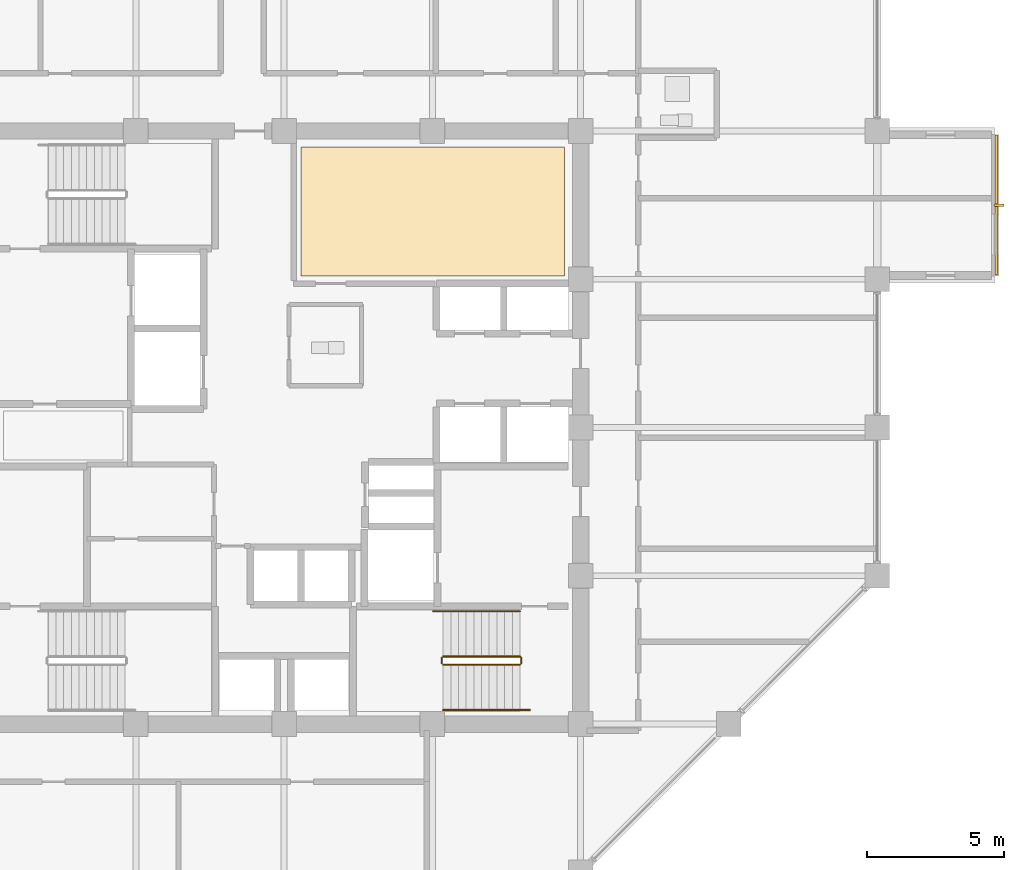
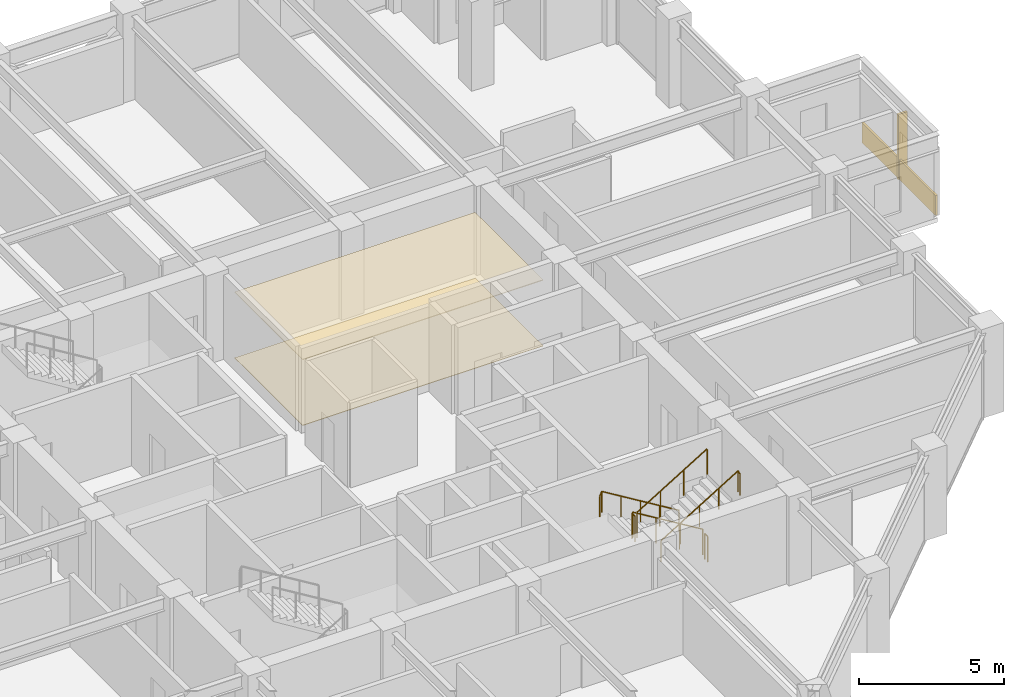
# One storey, part 27 of 28: 6 railings, 3 coverings, 1 shading device.
"""IFC4 building model written with IfcOpenShell, lengths in metres."""

from ifc_helpers import new_model, si_unit, direction, frame, origin, origin_2d, place, context, subcontext, project, spatial, polyline, rectangle, circle, outline, extrude, material, layer, layer_set, type_object, element, save


model = new_model("IFC4")

# Units and contexts
model_context = context("Model", 3, precision=1e-05, world=origin(), true_north=direction((0.0, 1.0)))
body_context = subcontext(model_context, "Body", "Model", "MODEL_VIEW")
ifc_project = project(units=[si_unit("LENGTHUNIT", "METRE"), si_unit("AREAUNIT", "SQUARE_METRE"), si_unit("VOLUMEUNIT", "CUBIC_METRE"), si_unit("PLANEANGLEUNIT", "RADIAN"), si_unit("MASSUNIT", "GRAM", prefix="KILO")], contexts=[model_context])

# Site, building, storey
site_placement = place(None, origin())
site = spatial("IfcSite", under=ifc_project, at=site_placement, CompositionType="ELEMENT")
building_placement = place(site_placement, origin())
building = spatial("IfcBuilding", under=site, at=building_placement, Name="Surkhivell Harbour Commons", CompositionType="ELEMENT")
storey_placement = place(building_placement, frame((0.0, 0.0, 174.75)))
storey = spatial("IfcBuildingStorey", under=building, at=storey_placement, Name="L45", CompositionType="ELEMENT", Elevation=174.75)

# Coverings
ifc_material_1 = material(Name="Moisture-resistant gypsum acoustic ceiling board", Category="other")
ifc_layer_1 = layer(ifc_material_1, 0.030029296875)
ifc_layer_set_1 = layer_set([ifc_layer_1], Name="Moisture-resistant gypsum acoustic ceiling board")
covering_type_1 = type_object("IfcCoveringType", Name="COV-CEIL-GYP", PredefinedType="CEILING", material=ifc_layer_set_1)
covering_1_placement = place(storey_placement, frame((0.0, 0.0, 2.77001953125)))
element("IfcCovering", 1, at=covering_1_placement, inside=storey, type_object=covering_type_1, Name="L45 Suspended Acoustic Ceiling 2", PredefinedType="CEILING", context=body_context, shape_type="SweptSolid", body=[
    extrude(outline(polyline([(0.6201171875, 5.52001953125), (10.219970703125, 5.52001953125), (10.219970703125, 10.219970703125), (0.6201171875, 10.219970703125), (0.6201171875, 5.52001953125)])), origin(), (0.0, 0.0, 1.0), 0.030029296875),
])
ifc_material_2 = material(Name="Emerald-teal enamelled aluminium cassette panel", Category="aluminium")
ifc_layer_2 = layer(ifc_material_2, 0.068115234375)
ifc_layer_set_2 = layer_set([ifc_layer_2], Name="Emerald-teal enamelled aluminium cassette panel")
covering_type_2 = type_object("IfcCoveringType", Name="COV-CLAD-EME", PredefinedType="CLADDING", material=ifc_layer_set_2)
covering_2_placement = place(storey_placement, frame((25.93994140625, 8.10009765625, 0.0), z_axis=(0.0, 0.0, 1.0), x_axis=(1.0, 0.0, 0.0)))
element("IfcCovering", 2, at=covering_2_placement, inside=storey, type_object=covering_type_2, Name="L45 Coloured-Panel Box Spandrel Cassette 01", PredefinedType="CLADDING", context=body_context, shape_type="SweptSolid", body=[
    extrude(rectangle(XDim=0.080078125, YDim=5.10009765625, at=origin_2d()), origin(), (0.0, 0.0, 1.0), 0.840087890625),
])
ifc_material_3 = material(Name="Engineered acoustic oak timber flooring", Category="wood")
ifc_layer_3 = layer(ifc_material_3, 0.02001953125)
ifc_layer_set_3 = layer_set([ifc_layer_3], Name="Engineered acoustic oak timber flooring")
covering_type_3 = type_object("IfcCoveringType", Name="COV-FLR-TIM", PredefinedType="FLOORING", material=ifc_layer_set_3)
covering_3_placement = place(storey_placement, origin())
element("IfcCovering", 3, at=covering_3_placement, inside=storey, type_object=covering_type_3, Name="L45 Interior Floor Finish 2", PredefinedType="FLOORING", context=body_context, shape_type="SweptSolid", body=[
    extrude(outline(polyline([(0.6201171875, 5.52001953125), (10.219970703125, 5.52001953125), (10.219970703125, 10.219970703125), (0.6201171875, 10.219970703125), (0.6201171875, 5.52001953125)])), origin(), (0.0, 0.0, 1.0), 0.02001953125),
])

# Railings
ifc_material_4 = material(Name="Galvanised and painted steel S355 guard rail", Category="steel")
railing_type_1 = type_object("IfcRailingType", Name="RAL-ST-GRD1100", PredefinedType="GUARDRAIL", material=ifc_material_4)
railing_1_placement = place(storey_placement, frame((8.590087890625, -8.340087890625, 0.17041015625)))
element("IfcRailing", 4, at=railing_1_placement, inside=storey, type_object=railing_type_1, Name="L45 ST2 stair guard 1", PredefinedType="GUARDRAIL", context=body_context, shape_type="SweptSolid", body=[
    extrude(circle(Radius=0.02392578125, at=origin_2d()), frame((0.0, 0.0, 1.076171875), z_axis=(-0.854169791009, 0.0, 0.51999420009), x_axis=(0.0, -1.0, 0.0)), (0.0, 0.0, 1.0), 3.278076171875),
    extrude(circle(Radius=0.02099609375, at=origin_2d()), origin(), (0.0, 0.0, 1.0), 1.052001953125),
    extrude(circle(Radius=0.02099609375, at=origin_2d()), frame((-0.933349609375, 0.0, 0.568115234375)), (0.0, 0.0, 1.0), 1.052001953125),
    extrude(circle(Radius=0.02099609375, at=origin_2d()), frame((-1.86669921875, 0.0, 1.136474609375)), (0.0, 0.0, 1.0), 1.052001953125),
    extrude(circle(Radius=0.02099609375, at=origin_2d()), frame((-2.800048828125, 0.0, 1.70458984375)), (0.0, 0.0, 1.0), 1.052001953125),
])
railing_2_placement = place(storey_placement, frame((5.739990234375, -8.389892578125, 1.875)))
element("IfcRailing", 5, at=railing_2_placement, inside=storey, type_object=railing_type_1, Name="L45 ST2 stair guard 2", PredefinedType="GUARDRAIL", context=body_context, shape_type="SweptSolid", body=[
    extrude(circle(Radius=0.02392578125, at=origin_2d()), frame((0.0, 0.0, 1.076171875), z_axis=(0.0, -1.0, 0.0), x_axis=(1.0, 0.0, 0.0)), (0.0, 0.0, 1.0), 0.2001953125),
    extrude(circle(Radius=0.02099609375, at=origin_2d()), origin(), (0.0, 0.0, 1.0), 1.052001953125),
    extrude(circle(Radius=0.02099609375, at=origin_2d()), frame((0.0, -0.2001953125, 0.0)), (0.0, 0.0, 1.0), 1.052001953125),
])
railing_3_placement = place(storey_placement, frame((5.7900390625, -8.639892578125, 2.04541015625)))
element("IfcRailing", 6, at=railing_3_placement, inside=storey, type_object=railing_type_1, Name="L45 ST2 stair guard 3", PredefinedType="GUARDRAIL", context=body_context, shape_type="SweptSolid", body=[
    extrude(circle(Radius=0.02392578125, at=origin_2d()), frame((0.0, 0.0, 1.076171875), z_axis=(0.854169791009, 0.0, 0.51999420009), x_axis=(0.0, 1.0, 0.0)), (0.0, 0.0, 1.0), 3.278076171875),
    extrude(circle(Radius=0.02099609375, at=origin_2d()), origin(), (0.0, 0.0, 1.0), 1.052001953125),
    extrude(circle(Radius=0.02099609375, at=origin_2d()), frame((0.933349609375, 0.0, 0.568115234375)), (0.0, 0.0, 1.0), 1.052001953125),
    extrude(circle(Radius=0.02099609375, at=origin_2d()), frame((1.86669921875, 0.0, 1.136474609375)), (0.0, 0.0, 1.0), 1.052001953125),
    extrude(circle(Radius=0.02099609375, at=origin_2d()), frame((2.800048828125, 0.0, 1.70458984375)), (0.0, 0.0, 1.0), 1.052001953125),
])
railing_4_placement = place(storey_placement, frame((8.639892578125, -8.389892578125, 0.0)))
element("IfcRailing", 7, at=railing_4_placement, inside=storey, type_object=railing_type_1, Name="L45 ST2 stair guard 4", PredefinedType="GUARDRAIL", context=body_context, shape_type="SweptSolid", body=[
    extrude(circle(Radius=0.02392578125, at=origin_2d()), frame((0.0, 0.0, 1.076171875), z_axis=(0.0, -1.0, 0.0), x_axis=(1.0, 0.0, 0.0)), (0.0, 0.0, 1.0), 0.2001953125),
    extrude(circle(Radius=0.02099609375, at=origin_2d()), origin(), (0.0, 0.0, 1.0), 1.052001953125),
    extrude(circle(Radius=0.02099609375, at=origin_2d()), frame((0.0, -0.2001953125, 0.0)), (0.0, 0.0, 1.0), 1.052001953125),
])
ifc_material_5 = material(Name="Brushed stainless steel S355 handrail", Category="steel")
railing_type_2 = type_object("IfcRailingType", Name="RAL-ST-HND900", PredefinedType="HANDRAIL", material=ifc_material_5)
railing_5_placement = place(storey_placement, frame((8.590087890625, -6.68994140625, 0.17041015625)))
element("IfcRailing", 8, at=railing_5_placement, inside=storey, type_object=railing_type_2, Name="L45 ST2 stair handrail 1", PredefinedType="HANDRAIL", context=body_context, shape_type="SweptSolid", body=[
    extrude(circle(Radius=0.02392578125, at=origin_2d()), frame((0.0, 0.0, 0.8759765625), z_axis=(-0.854177636135, 0.0, 0.519981313056), x_axis=(0.0, -1.0, 0.0)), (0.0, 0.0, 1.0), 3.60595703125),
    extrude(circle(Radius=0.02392578125, at=origin_2d()), frame((-3.080078125, 0.0, 2.7509765625), z_axis=(-0.425297416671, 0.0, -0.905053648892), x_axis=(0.0, -1.0, 0.0)), (0.0, 0.0, 1.0), 0.188232421875),
    extrude(circle(Radius=0.02099609375, at=origin_2d()), origin(), (0.0, 0.0, 1.0), 0.851806640625),
    extrude(circle(Radius=0.02099609375, at=origin_2d()), frame((-0.77001953125, 0.0, 0.46875)), (0.0, 0.0, 1.0), 0.851806640625),
    extrude(circle(Radius=0.02099609375, at=origin_2d()), frame((-1.5400390625, 0.0, 0.9375)), (0.0, 0.0, 1.0), 0.851806640625),
    extrude(circle(Radius=0.02099609375, at=origin_2d()), frame((-2.31005859375, 0.0, 1.40625)), (0.0, 0.0, 1.0), 0.851806640625),
    extrude(circle(Radius=0.02099609375, at=origin_2d()), frame((-3.080078125, 0.0, 1.875)), (0.0, 0.0, 1.0), 0.851806640625),
    extrude(circle(Radius=0.02099609375, at=origin_2d()), frame((-3.16015625, 0.0, 1.70458984375)), (0.0, 0.0, 1.0), 0.851806640625),
])
railing_6_placement = place(storey_placement, frame((5.7900390625, -10.2900390625, 2.04541015625)))
element("IfcRailing", 9, at=railing_6_placement, inside=storey, type_object=railing_type_2, Name="L45 ST2 stair handrail 2", PredefinedType="HANDRAIL", context=body_context, shape_type="SweptSolid", body=[
    extrude(circle(Radius=0.02392578125, at=origin_2d()), frame((0.0, 0.0, 0.8759765625), z_axis=(0.854177636135, 0.0, 0.519981313056), x_axis=(0.0, 1.0, 0.0)), (0.0, 0.0, 1.0), 3.60595703125),
    extrude(circle(Radius=0.02392578125, at=origin_2d()), frame((3.080078125, 0.0, 2.7509765625), z_axis=(0.424234432967, 0.0, -0.905552398199), x_axis=(0.0, 1.0, 0.0)), (0.0, 0.0, 1.0), 0.188232421875),
    extrude(circle(Radius=0.02099609375, at=origin_2d()), origin(), (0.0, 0.0, 1.0), 0.851806640625),
    extrude(circle(Radius=0.02099609375, at=origin_2d()), frame((0.77001953125, 0.0, 0.46875)), (0.0, 0.0, 1.0), 0.851806640625),
    extrude(circle(Radius=0.02099609375, at=origin_2d()), frame((1.5400390625, 0.0, 0.9375)), (0.0, 0.0, 1.0), 0.851806640625),
    extrude(circle(Radius=0.02099609375, at=origin_2d()), frame((2.31005859375, 0.0, 1.40625)), (0.0, 0.0, 1.0), 0.851806640625),
    extrude(circle(Radius=0.02099609375, at=origin_2d()), frame((3.080078125, 0.0, 1.875)), (0.0, 0.0, 1.0), 0.851806640625),
    extrude(circle(Radius=0.02099609375, at=origin_2d()), frame((3.159912109375, 0.0, 1.70458984375)), (0.0, 0.0, 1.0), 0.851806640625),
])

# Shading device
ifc_material_6 = material(Name="Anodised pale-metal aluminium solar fin", Category="aluminium")
shading_device_type = type_object("IfcShadingDeviceType", Name="SHD-FIN-VERT", PredefinedType="USERDEFINED", material=ifc_material_6)
shading_device_placement = place(storey_placement, frame((26.0400390625, 8.10009765625, 0.0048828125), z_axis=(0.0, 0.0, 1.0), x_axis=(1.0, 0.0, 0.0)))
element("IfcShadingDevice", 10, at=shading_device_placement, inside=storey, type_object=shading_device_type, Name="L45 Coloured-Box Solar Fin 01", ObjectType="FIN", PredefinedType="USERDEFINED", context=body_context, shape_type="SweptSolid", body=[
    extrude(rectangle(XDim=0.360107421875, YDim=0.090087890625, at=origin_2d()), origin(), (0.0, 0.0, 1.0), 2.75),
])

save(model, "model.ifc")
